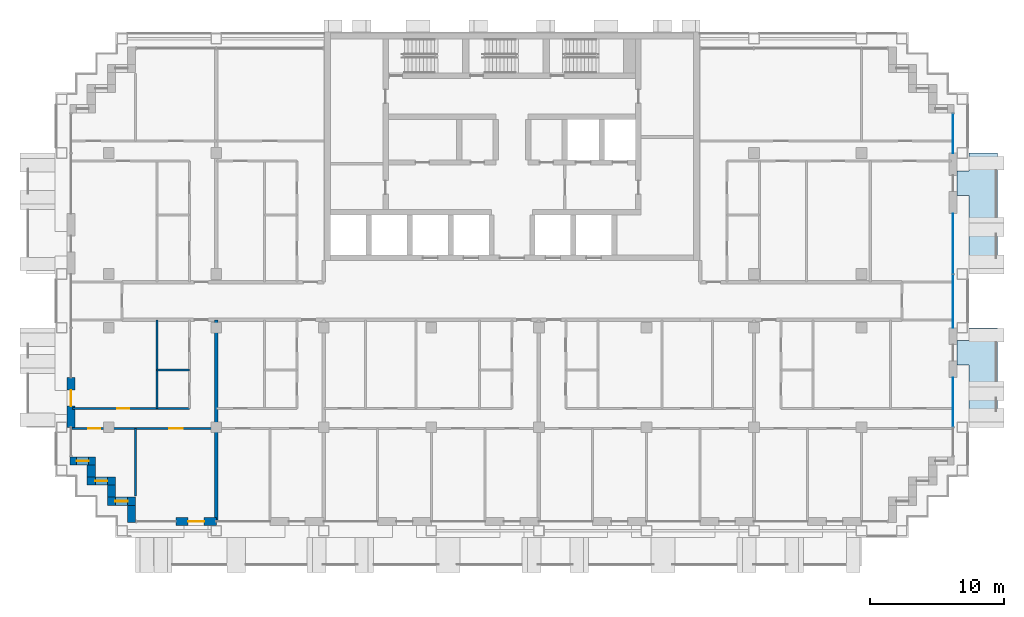
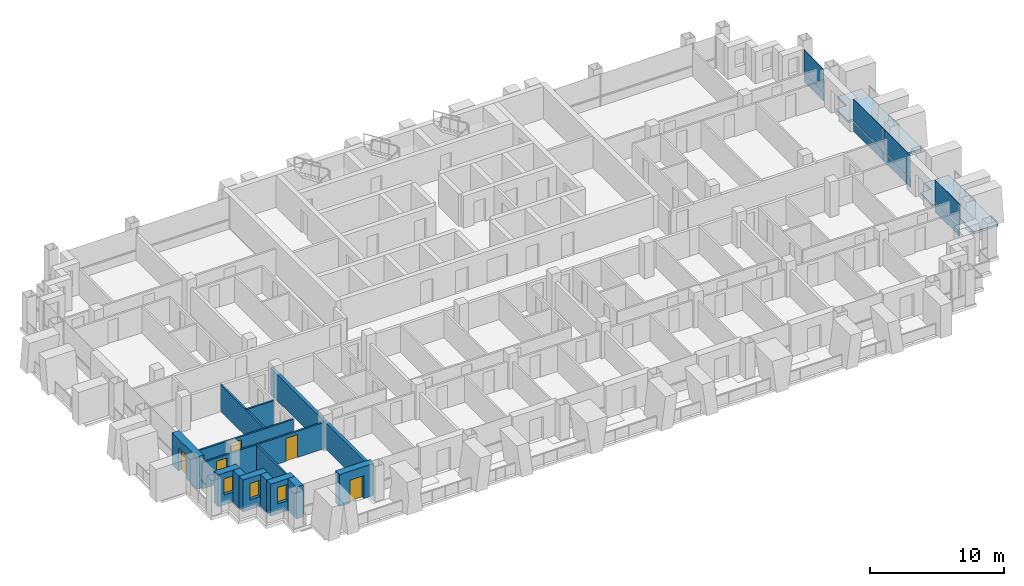
# One storey, part 7 of 17: 14 walls, 8 plates, 5 doors, 3 windows, 2 slabs, 8 openings, 3 elements without a shape of their own.
"""IFC4 building model written with IfcOpenShell, lengths in metres."""

from ifc_helpers import new_model, si_unit, direction, frame, frame_2d, origin, origin_2d, place, context, subcontext, project, spatial, polyline, rectangle, outline, extrude, material, layer, layer_set, type_object, element, fill, aggregate, save


model = new_model("IFC4")

# Units and contexts
model_context = context("Model", 3, precision=1e-05, world=origin(), true_north=direction((0.0, 1.0)))
body_context = subcontext(model_context, "Body", "Model", "MODEL_VIEW")
ifc_project = project(units=[si_unit("LENGTHUNIT", "METRE"), si_unit("AREAUNIT", "SQUARE_METRE"), si_unit("VOLUMEUNIT", "CUBIC_METRE"), si_unit("PLANEANGLEUNIT", "RADIAN"), si_unit("MASSUNIT", "GRAM", prefix="KILO")], contexts=[model_context])

# Site, building, storey
site_placement = place(None, origin())
site = spatial("IfcSite", under=ifc_project, at=site_placement, CompositionType="ELEMENT")
building_placement = place(site_placement, origin())
building = spatial("IfcBuilding", under=site, at=building_placement, Name="Vidyagriha Tower", CompositionType="ELEMENT")
storey_placement = place(building_placement, frame((0.0, 0.0, 119.800048828125)))
storey = spatial("IfcBuildingStorey", under=building, at=storey_placement, Name="L30", CompositionType="ELEMENT", Elevation=119.800048828125)

# Curtain wall, plate
ifc_material_1 = material(Name="Aluminium and glass curtain wall", Category="aluminium")
curtain_wall_type = type_object("IfcCurtainWallType", Name="Dwelling skin unitised curtain wall", PredefinedType="USERDEFINED", material=ifc_material_1)
curtain_wall_1_placement = place(storey_placement, origin())
curtain_wall_1 = element("IfcCurtainWall", 1, at=curtain_wall_1_placement, inside=storey, type_object=curtain_wall_type, Name="CW1 dwelling skin", ObjectType="UNITISED", PredefinedType="USERDEFINED")
ifc_material_2 = material(Name="Glass dark ceramic-fritted spandrel", Category="glass")
ifc_layer_1 = layer(ifc_material_2, 0.0400390625)
ifc_layer_set_1 = layer_set([ifc_layer_1], Name="Glass dark ceramic-fritted spandrel")
plate_type_1 = type_object("IfcPlateType", Name="Ceramic-fritted spandrel panel", PredefinedType="CURTAIN_PANEL", material=ifc_layer_set_1)
plate_1_placement = place(storey_placement, frame((32.800048828125, -7.532470703125, 0.0), z_axis=(0.0, 0.0, 1.0), x_axis=(0.0, 1.0, 0.0)))
plate_1 = element("IfcPlate", 2, at=plate_1_placement, type_object=plate_type_1, Name="CW1 panel 2.1", PredefinedType="CURTAIN_PANEL", context=body_context, shape_type="SweptSolid", body=[
    extrude(rectangle(XDim=3.6650390625, YDim=0.0400390625, at=origin_2d()), origin(), (0.0, 0.0, 1.0), 0.85009765625),
])

curtain_wall_2_placement = place(storey_placement, origin())
curtain_wall_2 = element("IfcCurtainWall", 3, at=curtain_wall_2_placement, inside=storey, type_object=curtain_wall_type, Name="CW1 dwelling skin", ObjectType="UNITISED", PredefinedType="USERDEFINED")
plate_2_placement = place(storey_placement, frame((32.800048828125, 12.465087890625, 0.0), z_axis=(0.0, 0.0, 1.0), x_axis=(0.0, 1.0, 0.0)))
plate_2 = element("IfcPlate", 4, at=plate_2_placement, type_object=plate_type_1, Name="CW1 panel 1.1", PredefinedType="CURTAIN_PANEL", context=body_context, shape_type="SweptSolid", body=[
    extrude(rectangle(XDim=2.929931640625, YDim=0.0400390625, at=origin_2d()), origin(), (0.0, 0.0, 1.0), 0.85009765625),
])

# Plate
ifc_material_3 = material(Name="Glass dark ceramic-fritted", Category="glass")
ifc_layer_2 = layer(ifc_material_3, 0.028076171875)
ifc_layer_set_2 = layer_set([ifc_layer_2], Name="Glass dark ceramic-fritted")
plate_type_2 = type_object("IfcPlateType", Name="Dark ceramic-fritted vision glass panel", PredefinedType="CURTAIN_PANEL", material=ifc_layer_set_2)
plate_3_placement = place(storey_placement, frame((32.800048828125, -7.532470703125, 0.9501953125), z_axis=(0.0, 0.0, 1.0), x_axis=(0.0, 1.0, 0.0)))
plate_3 = element("IfcPlate", 5, at=plate_3_placement, type_object=plate_type_2, Name="CW1 panel 2.2", PredefinedType="CURTAIN_PANEL", context=body_context, shape_type="SweptSolid", body=[
    extrude(rectangle(XDim=3.6650390625, YDim=0.028076171875, at=origin_2d()), origin(), (0.0, 0.0, 1.0), 1.969970703125),
])

aggregate(curtain_wall_1, [plate_1, plate_3])

# Curtain wall, plates
curtain_wall_3_placement = place(storey_placement, origin())
curtain_wall_3 = element("IfcCurtainWall", 6, at=curtain_wall_3_placement, inside=storey, type_object=curtain_wall_type, Name="CW1 dwelling skin", ObjectType="UNITISED", PredefinedType="USERDEFINED")
plate_4_placement = place(storey_placement, frame((32.800048828125, -0.017578125, 0.9501953125), z_axis=(0.0, 0.0, 1.0), x_axis=(0.0, 1.0, 0.0)))
plate_4 = element("IfcPlate", 7, at=plate_4_placement, type_object=plate_type_2, Name="CW1 panel 1.2", PredefinedType="CURTAIN_PANEL", context=body_context, shape_type="SweptSolid", body=[
    extrude(rectangle(XDim=3.965087890625, YDim=0.028076171875, at=origin_2d()), origin(), (0.0, 0.0, 1.0), 1.969970703125),
])
plate_5_placement = place(storey_placement, frame((32.800048828125, 4.267578125, 0.9501953125), z_axis=(0.0, 0.0, 1.0), x_axis=(0.0, 1.0, 0.0)))
plate_5 = element("IfcPlate", 8, at=plate_5_placement, type_object=plate_type_2, Name="CW1 panel 2.2", PredefinedType="CURTAIN_PANEL", context=body_context, shape_type="SweptSolid", body=[
    extrude(rectangle(XDim=4.465087890625, YDim=0.028076171875, at=origin_2d()), origin(), (0.0, 0.0, 1.0), 1.969970703125),
])

# Plate
plate_6_placement = place(storey_placement, frame((32.800048828125, 12.465087890625, 0.9501953125), z_axis=(0.0, 0.0, 1.0), x_axis=(0.0, 1.0, 0.0)))
plate_6 = element("IfcPlate", 9, at=plate_6_placement, type_object=plate_type_2, Name="CW1 panel 1.2", PredefinedType="CURTAIN_PANEL", context=body_context, shape_type="SweptSolid", body=[
    extrude(rectangle(XDim=2.929931640625, YDim=0.028076171875, at=origin_2d()), origin(), (0.0, 0.0, 1.0), 1.969970703125),
])

aggregate(curtain_wall_2, [plate_2, plate_6])

ifc_material_4 = material(Name="Aluminium black anodised", Category="aluminium")
ifc_layer_3 = layer(ifc_material_4, 0.06005859375)
ifc_layer_set_3 = layer_set([ifc_layer_3], Name="Aluminium black anodised")
plate_type_3 = type_object("IfcPlateType", Name="Operable black-metal vent panel", PredefinedType="CURTAIN_PANEL", material=ifc_layer_set_3)
plate_7_placement = place(storey_placement, frame((32.800048828125, -0.017578125, 0.0), z_axis=(0.0, 0.0, 1.0), x_axis=(0.0, 1.0, 0.0)))
plate_7 = element("IfcPlate", 10, at=plate_7_placement, type_object=plate_type_3, Name="CW1 panel 1.1", PredefinedType="CURTAIN_PANEL", context=body_context, shape_type="SweptSolid", body=[
    extrude(rectangle(XDim=3.965087890625, YDim=0.06005859375, at=origin_2d()), origin(), (0.0, 0.0, 1.0), 0.85009765625),
])

plate_8_placement = place(storey_placement, frame((32.800048828125, 4.267578125, 0.0), z_axis=(0.0, 0.0, 1.0), x_axis=(0.0, 1.0, 0.0)))
plate_8 = element("IfcPlate", 11, at=plate_8_placement, type_object=plate_type_3, Name="CW1 panel 2.1", PredefinedType="CURTAIN_PANEL", context=body_context, shape_type="SweptSolid", body=[
    extrude(rectangle(XDim=4.465087890625, YDim=0.06005859375, at=origin_2d()), origin(), (0.0, 0.0, 1.0), 0.85009765625),
])

aggregate(curtain_wall_3, [plate_7, plate_4, plate_8, plate_5])

# Slabs
ifc_material_5 = material(Name="Precast concrete C40/50", Category="concrete")
ifc_layer_4 = layer(ifc_material_5, 0.199951171875)
ifc_layer_set_4 = layer_set([ifc_layer_4], Name="Precast concrete C40/50")
slab_type = type_object("IfcSlabType", Name="Precast balcony slab 200", PredefinedType="USERDEFINED", material=ifc_layer_set_4)
slab_1_placement = place(storey_placement, frame((0.0, 0.0, -0.199951171875)))
element("IfcSlab", 12, at=slab_1_placement, inside=storey, type_object=slab_type, Name="Balcony slab L30 R30.1-1", ObjectType="BALCONY", PredefinedType="USERDEFINED", context=body_context, shape_type="SweptSolid", body=[
    extrude(outline(polyline([(34.0, -4.75), (34.0, -9.39990234375), (36.10009765625, -9.39990234375), (36.10009765625, -2.0), (34.0, -2.0), (34.0, -2.949951171875), (33.10009765625, -2.949951171875), (33.10009765625, -4.75), (34.0, -4.75)])), origin(), (0.0, 0.0, 1.0), 0.199951171875),
])
slab_2_placement = place(storey_placement, frame((0.0, 0.0, -0.199951171875)))
element("IfcSlab", 13, at=slab_2_placement, inside=storey, type_object=slab_type, Name="Balcony slab L30 R30.2-2", ObjectType="BALCONY", PredefinedType="USERDEFINED", context=body_context, shape_type="SweptSolid", body=[
    extrude(outline(polyline([(34.0, 7.85009765625), (34.0, 2.0), (36.10009765625, 2.0), (36.10009765625, 11.0), (34.0, 11.0), (34.0, 9.64990234375), (33.10009765625, 9.64990234375), (33.10009765625, 7.85009765625), (34.0, 7.85009765625)])), origin(), (0.0, 0.0, 1.0), 0.199951171875),
])

# Wall, opening, door
ifc_material_6 = material(Name="Precast concrete C40/50 with brick facing", Category="concrete")
ifc_layer_5 = layer(ifc_material_6, 0.60009765625)
ifc_layer_set_5 = layer_set([ifc_layer_5], Name="Precast concrete C40/50 with brick facing")
wall_type_1 = type_object("IfcWallType", Name="Brick-faced precast wall 600", PredefinedType="STANDARD", material=ifc_layer_set_5)
wall_1_placement = place(storey_placement, frame((-32.800048828125, -5.699951171875, 0.0), z_axis=(0.0, 0.0, 1.0), x_axis=(0.0, -1.0, 0.0)))
wall_1 = element("IfcWall", 14, at=wall_1_placement, inside=storey, type_object=wall_type_1, Name="Brick door bay wall L30 R16.6", PredefinedType="STANDARD", context=body_context, shape_type="SweptSolid", body=[
    extrude(rectangle(XDim=3.699951171875, YDim=0.60009765625, at=frame_2d((1.85009765625, 0.0))), origin(), (0.0, 0.0, 1.0), 2.919921875),
])
opening_1_placement = place(wall_1_placement, frame((0.925048828125, 0.0, 0.0)))
opening_1 = element("IfcOpeningElement", 15, at=opening_1_placement, cuts=wall_1, Name="Opening D30-75", PredefinedType="OPENING", context=body_context, shape_type="SweptSolid", body=[
    extrude(rectangle(XDim=1.199951171875, YDim=2.10009765625, at=frame_2d((0.60009765625, 1.050048828125))), frame((0.0, 0.31005859375, 0.0), z_axis=(0.0, -1.0, 0.0), x_axis=(1.0, 0.0, 0.0)), (0.0, 0.0, 1.0), 0.6201171875),
])
ifc_material_7 = material(Name="Aluminium framed glazed sliding door", Category="aluminium")
door_type_1 = type_object("IfcDoorType", Name="Balcony sliding door 1200x2100", OperationType="NOTDEFINED", PredefinedType="DOOR", material=ifc_material_7)
door_1_placement = place(opening_1_placement, origin())
door_1 = element("IfcDoor", 16, at=door_1_placement, inside=storey, type_object=door_type_1, Name="Door D30-75", OperationType="SLIDING_TO_LEFT", OverallHeight=2.10009765625, OverallWidth=1.199951171875, PredefinedType="DOOR", context=body_context, shape_type="SweptSolid", body=[
    extrude(rectangle(XDim=1.199951171875, YDim=2.10009765625, at=frame_2d((0.60009765625, 1.050048828125))), frame((0.0, 0.02490234375, 0.0), z_axis=(0.0, -1.0, 0.0), x_axis=(1.0, 0.0, 0.0)), (0.0, 0.0, 1.0), 0.050048828125),
])
fill(opening_1, door_1)

# Wall, opening, window
wall_2_placement = place(storey_placement, frame((-32.8798828125, -11.89990234375, 0.0)))
wall_2 = element("IfcWall", 17, at=wall_2_placement, inside=storey, type_object=wall_type_1, Name="Stepped corner wall L30 R17", PredefinedType="STANDARD", context=body_context, shape_type="SweptSolid", body=[
    extrude(rectangle(XDim=1.8798828125, YDim=0.60009765625, at=frame_2d((0.93994140625, 0.0))), origin(), (0.0, 0.0, 1.0), 2.919921875),
])
opening_2_placement = place(wall_2_placement, frame((0.489990234375, 0.0, 0.89990234375)))
opening_2 = element("IfcOpeningElement", 18, at=opening_2_placement, cuts=wall_2, Name="Opening WN1", PredefinedType="OPENING", context=body_context, shape_type="SweptSolid", body=[
    extrude(rectangle(XDim=0.89990234375, YDim=1.5, at=frame_2d((0.449951171875, 0.75))), frame((0.0, 0.31005859375, 0.0), z_axis=(0.0, -1.0, 0.0), x_axis=(1.0, 0.0, 0.0)), (0.0, 0.0, 1.0), 0.6201171875),
])
ifc_material_8 = material(Name="Aluminium and glass window", Category="aluminium")
window_type = type_object("IfcWindowType", Name="Reveal window 900x1500", PartitioningType="NOTDEFINED", PredefinedType="WINDOW", material=ifc_material_8)
window_1_placement = place(opening_2_placement, origin())
window_1 = element("IfcWindow", 19, at=window_1_placement, inside=storey, type_object=window_type, Name="Reveal window L30 R17", OverallHeight=1.5, OverallWidth=0.89990234375, PartitioningType="SINGLE_PANEL", PredefinedType="WINDOW", context=body_context, shape_type="SweptSolid", body=[
    extrude(rectangle(XDim=0.89990234375, YDim=1.5, at=frame_2d((0.449951171875, 0.75))), frame((0.0, 0.030029296875, 0.0), z_axis=(0.0, -1.0, 0.0), x_axis=(1.0, 0.0, 0.0)), (0.0, 0.0, 1.0), 0.06005859375),
])
fill(opening_2, window_1)

# Wall
wall_3_placement = place(storey_placement, frame((-31.300048828125, -12.199951171875, 0.0), z_axis=(0.0, 0.0, 1.0), x_axis=(0.0, -1.0, 0.0)))
element("IfcWall", 20, at=wall_3_placement, inside=storey, type_object=wall_type_1, Name="Stepped corner wall L30 R18", PredefinedType="STANDARD", context=body_context, shape_type="SweptSolid", body=[
    extrude(rectangle(XDim=0.900146484375, YDim=0.60009765625, at=frame_2d((0.4501953125, 0.0))), origin(), (0.0, 0.0, 1.0), 2.919921875),
])

# Wall, opening, window
wall_4_placement = place(storey_placement, frame((-31.60009765625, -13.39990234375, 0.0)))
wall_4 = element("IfcWall", 21, at=wall_4_placement, inside=storey, type_object=wall_type_1, Name="Stepped corner wall L30 R19", PredefinedType="STANDARD", context=body_context, shape_type="SweptSolid", body=[
    extrude(rectangle(XDim=2.10009765625, YDim=0.60009765625, at=frame_2d((1.050048828125, 0.0))), origin(), (0.0, 0.0, 1.0), 2.919921875),
])
opening_3_placement = place(wall_4_placement, frame((0.60009765625, 0.0, 0.89990234375)))
opening_3 = element("IfcOpeningElement", 22, at=opening_3_placement, cuts=wall_4, Name="Opening WN1", PredefinedType="OPENING", context=body_context, shape_type="SweptSolid", body=[
    extrude(rectangle(XDim=0.89990234375, YDim=1.5, at=frame_2d((0.449951171875, 0.75))), frame((0.0, 0.31005859375, 0.0), z_axis=(0.0, -1.0, 0.0), x_axis=(1.0, 0.0, 0.0)), (0.0, 0.0, 1.0), 0.6201171875),
])
window_2_placement = place(opening_3_placement, origin())
window_2 = element("IfcWindow", 23, at=window_2_placement, inside=storey, type_object=window_type, Name="Reveal window L30 R19", OverallHeight=1.5, OverallWidth=0.89990234375, PartitioningType="SINGLE_PANEL", PredefinedType="WINDOW", context=body_context, shape_type="SweptSolid", body=[
    extrude(rectangle(XDim=0.89990234375, YDim=1.5, at=frame_2d((0.449951171875, 0.75))), frame((0.0, 0.030029296875, 0.0), z_axis=(0.0, -1.0, 0.0), x_axis=(1.0, 0.0, 0.0)), (0.0, 0.0, 1.0), 0.06005859375),
])
fill(opening_3, window_2)

# Wall
wall_5_placement = place(storey_placement, frame((-29.800048828125, -13.699951171875, 0.0), z_axis=(0.0, 0.0, 1.0), x_axis=(0.0, -1.0, 0.0)))
element("IfcWall", 24, at=wall_5_placement, inside=storey, type_object=wall_type_1, Name="Stepped corner wall L30 R20", PredefinedType="STANDARD", context=body_context, shape_type="SweptSolid", body=[
    extrude(rectangle(XDim=0.900146484375, YDim=0.60009765625, at=frame_2d((0.4501953125, 0.0))), origin(), (0.0, 0.0, 1.0), 2.919921875),
])

# Wall, opening, window
wall_6_placement = place(storey_placement, frame((-30.10009765625, -14.89990234375, 0.0)))
wall_6 = element("IfcWall", 25, at=wall_6_placement, inside=storey, type_object=wall_type_1, Name="Stepped corner wall L30 R21", PredefinedType="STANDARD", context=body_context, shape_type="SweptSolid", body=[
    extrude(rectangle(XDim=2.10009765625, YDim=0.60009765625, at=frame_2d((1.050048828125, 0.0))), origin(), (0.0, 0.0, 1.0), 2.919921875),
])
opening_4_placement = place(wall_6_placement, frame((0.60009765625, 0.0, 0.89990234375)))
opening_4 = element("IfcOpeningElement", 26, at=opening_4_placement, cuts=wall_6, Name="Opening WN1", PredefinedType="OPENING", context=body_context, shape_type="SweptSolid", body=[
    extrude(rectangle(XDim=0.89990234375, YDim=1.5, at=frame_2d((0.449951171875, 0.75))), frame((0.0, 0.31005859375, 0.0), z_axis=(0.0, -1.0, 0.0), x_axis=(1.0, 0.0, 0.0)), (0.0, 0.0, 1.0), 0.6201171875),
])
window_3_placement = place(opening_4_placement, origin())
window_3 = element("IfcWindow", 27, at=window_3_placement, inside=storey, type_object=window_type, Name="Reveal window L30 R21", OverallHeight=1.5, OverallWidth=0.89990234375, PartitioningType="SINGLE_PANEL", PredefinedType="WINDOW", context=body_context, shape_type="SweptSolid", body=[
    extrude(rectangle(XDim=0.89990234375, YDim=1.5, at=frame_2d((0.449951171875, 0.75))), frame((0.0, 0.030029296875, 0.0), z_axis=(0.0, -1.0, 0.0), x_axis=(1.0, 0.0, 0.0)), (0.0, 0.0, 1.0), 0.06005859375),
])
fill(opening_4, window_3)

# Wall
wall_7_placement = place(storey_placement, frame((-28.300048828125, -15.199951171875, 0.0), z_axis=(0.0, 0.0, 1.0), x_axis=(0.0, -1.0, 0.0)))
element("IfcWall", 28, at=wall_7_placement, inside=storey, type_object=wall_type_1, Name="Stepped corner wall L30 R22", PredefinedType="STANDARD", context=body_context, shape_type="SweptSolid", body=[
    extrude(rectangle(XDim=1.280029296875, YDim=0.60009765625, at=frame_2d((0.64013671875, 0.0))), origin(), (0.0, 0.0, 1.0), 2.919921875),
])

# Wall, opening, door
wall_8_placement = place(storey_placement, frame((-25.0, -16.39990234375, 0.0)))
wall_8 = element("IfcWall", 29, at=wall_8_placement, inside=storey, type_object=wall_type_1, Name="Brick door bay wall L30 R23.2", PredefinedType="STANDARD", context=body_context, shape_type="SweptSolid", body=[
    extrude(rectangle(XDim=3.0, YDim=0.60009765625, at=frame_2d((1.5, 0.0))), origin(), (0.0, 0.0, 1.0), 2.919921875),
])
opening_5_placement = place(wall_8_placement, frame((0.89990234375, 0.0, 0.0)))
opening_5 = element("IfcOpeningElement", 30, at=opening_5_placement, cuts=wall_8, Name="Opening D30-76", PredefinedType="OPENING", context=body_context, shape_type="SweptSolid", body=[
    extrude(rectangle(XDim=1.199951171875, YDim=2.10009765625, at=frame_2d((0.60009765625, 1.050048828125))), frame((0.0, 0.31005859375, 0.0), z_axis=(0.0, -1.0, 0.0), x_axis=(1.0, 0.0, 0.0)), (0.0, 0.0, 1.0), 0.6201171875),
])
door_2_placement = place(opening_5_placement, origin())
door_2 = element("IfcDoor", 31, at=door_2_placement, inside=storey, type_object=door_type_1, Name="Door D30-76", OperationType="SLIDING_TO_LEFT", OverallHeight=2.10009765625, OverallWidth=1.199951171875, PredefinedType="DOOR", context=body_context, shape_type="SweptSolid", body=[
    extrude(rectangle(XDim=1.199951171875, YDim=2.10009765625, at=frame_2d((0.60009765625, 1.050048828125))), frame((0.0, 0.02490234375, 0.0), z_axis=(0.0, -1.0, 0.0), x_axis=(1.0, 0.0, 0.0)), (0.0, 0.0, 1.0), 0.050048828125),
])
fill(opening_5, door_2)

# Walls
ifc_material_9 = material(Name="Fired clay brick masonry", Category="masonry")
ifc_layer_6 = layer(ifc_material_9, 0.25)
ifc_layer_set_6 = layer_set([ifc_layer_6], Name="Fired clay brick masonry")
wall_type_2 = type_object("IfcWallType", Name="Fired clay brick demising wall 250", PredefinedType="PARTITIONING", material=ifc_layer_set_6)
wall_9_placement = place(storey_placement, frame((-22.0, -1.39990234375, 0.0), z_axis=(0.0, 0.0, 1.0), x_axis=(0.0, -1.0, 0.0)))
element("IfcWall", 32, at=wall_9_placement, inside=storey, type_object=wall_type_2, Name="Wall all-L30-w025", PredefinedType="PARTITIONING", context=body_context, shape_type="SweptSolid", body=[
    extrude(rectangle(XDim=14.91015625, YDim=0.25, at=frame_2d((7.455078125, 0.0))), origin(), (0.0, 0.0, 1.0), 2.39990234375),
])
ifc_material_10 = material(Name="Gypsum board partition")
ifc_layer_7 = layer(ifc_material_10, 0.14990234375)
ifc_layer_set_7 = layer_set([ifc_layer_7], Name="Gypsum board partition")
wall_type_3 = type_object("IfcWallType", Name="Gypsum board partition 150", PredefinedType="PARTITIONING", material=ifc_layer_set_7)
wall_10_placement = place(storey_placement, frame((-24.0, -5.14990234375, 0.0), z_axis=(0.0, 0.0, 1.0), x_axis=(-1.0, 0.0, 0.0)))
element("IfcWall", 33, at=wall_10_placement, inside=storey, type_object=wall_type_3, Name="Wall all-L30-w004", PredefinedType="PARTITIONING", context=body_context, shape_type="SweptSolid", body=[
    extrude(rectangle(XDim=2.39990234375, YDim=0.14990234375, at=frame_2d((1.199951171875, 0.0))), origin(), (0.0, 0.0, 1.0), 2.39990234375),
])
wall_11_placement = place(storey_placement, frame((-26.39990234375, -8.0, 0.0), z_axis=(0.0, 0.0, 1.0), x_axis=(0.0, 1.0, 0.0)))
element("IfcWall", 34, at=wall_11_placement, inside=storey, type_object=wall_type_3, Name="Wall all-L30-w005", PredefinedType="PARTITIONING", context=body_context, shape_type="SweptSolid", body=[
    extrude(rectangle(XDim=6.60009765625, YDim=0.14990234375, at=frame_2d((3.300048828125, 0.0))), origin(), (0.0, 0.0, 1.0), 2.39990234375),
])

# Wall, opening, door
wall_12_placement = place(storey_placement, frame((-32.7099609375, -8.0, 0.0)))
wall_12 = element("IfcWall", 35, at=wall_12_placement, inside=storey, type_object=wall_type_3, Name="Wall all-L30-w006", PredefinedType="PARTITIONING", context=body_context, shape_type="SweptSolid", body=[
    extrude(rectangle(XDim=8.7099609375, YDim=0.14990234375, at=frame_2d((4.35498046875, 0.0))), origin(), (0.0, 0.0, 1.0), 2.39990234375),
])
opening_6_placement = place(wall_12_placement, frame((3.327880859375, 0.0, 0.0)))
opening_6 = element("IfcOpeningElement", 36, at=opening_6_placement, cuts=wall_12, Name="Opening D30-15", PredefinedType="OPENING", context=body_context, shape_type="SweptSolid", body=[
    extrude(rectangle(XDim=0.89990234375, YDim=2.10009765625, at=frame_2d((0.449951171875, 1.050048828125))), frame((0.0, 0.0849609375, 0.0), z_axis=(0.0, -1.0, 0.0), x_axis=(1.0, 0.0, 0.0)), (0.0, 0.0, 1.0), 0.169921875),
])
ifc_material_11 = material(Name="Timber door leaf", Category="wood")
door_type_2 = type_object("IfcDoorType", Name="Room door 900x2100", OperationType="NOTDEFINED", PredefinedType="DOOR", material=ifc_material_11)
door_3_placement = place(opening_6_placement, origin())
door_3 = element("IfcDoor", 37, at=door_3_placement, inside=storey, type_object=door_type_2, Name="Door D30-15", OperationType="SINGLE_SWING_RIGHT", OverallHeight=2.10009765625, OverallWidth=0.89990234375, PredefinedType="DOOR", context=body_context, shape_type="SweptSolid", body=[
    extrude(rectangle(XDim=0.89990234375, YDim=2.10009765625, at=frame_2d((0.449951171875, 1.050048828125))), frame((0.0, 0.02490234375, 0.0), z_axis=(0.0, -1.0, 0.0), x_axis=(1.0, 0.0, 0.0)), (0.0, 0.0, 1.0), 0.050048828125),
])
fill(opening_6, door_3)

# Wall, openings, doors
wall_13_placement = place(storey_placement, frame((-22.0, -9.5, 0.0), z_axis=(0.0, 0.0, 1.0), x_axis=(-1.0, 0.0, 0.0)))
wall_13 = element("IfcWall", 38, at=wall_13_placement, inside=storey, type_object=wall_type_3, Name="Wall all-L30-w008", PredefinedType="PARTITIONING", context=body_context, shape_type="SweptSolid", body=[
    extrude(rectangle(XDim=10.719970703125, YDim=0.14990234375, at=frame_2d((5.35986328125, 0.0))), origin(), (0.0, 0.0, 1.0), 2.39990234375),
])
opening_7_placement = place(wall_13_placement, frame((8.617919921875, 0.0, 0.0)))
opening_7 = element("IfcOpeningElement", 39, at=opening_7_placement, cuts=wall_13, Name="Opening D30-16", PredefinedType="OPENING", context=body_context, shape_type="SweptSolid", body=[
    extrude(rectangle(XDim=0.89990234375, YDim=2.10009765625, at=frame_2d((0.449951171875, 1.050048828125))), frame((0.0, 0.0849609375, 0.0), z_axis=(0.0, -1.0, 0.0), x_axis=(1.0, 0.0, 0.0)), (0.0, 0.0, 1.0), 0.169921875),
])
opening_8_placement = place(wall_13_placement, frame((2.5, 0.0, 0.0)))
opening_8 = element("IfcOpeningElement", 40, at=opening_8_placement, cuts=wall_13, Name="Opening D30-17", PredefinedType="OPENING", context=body_context, shape_type="SweptSolid", body=[
    extrude(rectangle(XDim=1.0, YDim=2.10009765625, at=frame_2d((0.5, 1.050048828125))), frame((0.0, 0.0849609375, 0.0), z_axis=(0.0, -1.0, 0.0), x_axis=(1.0, 0.0, 0.0)), (0.0, 0.0, 1.0), 0.169921875),
])
ifc_material_12 = material(Name="Timber door leaf", Category="wood")
door_type_3 = type_object("IfcDoorType", Name="Room door 1000x2100", OperationType="NOTDEFINED", PredefinedType="DOOR", material=ifc_material_12)
door_4_placement = place(opening_8_placement, origin())
door_4 = element("IfcDoor", 41, at=door_4_placement, inside=storey, type_object=door_type_3, Name="Door D30-17", OperationType="SINGLE_SWING_RIGHT", OverallHeight=2.10009765625, OverallWidth=1.0, PredefinedType="DOOR", context=body_context, shape_type="SweptSolid", body=[
    extrude(rectangle(XDim=1.0, YDim=2.10009765625, at=frame_2d((0.5, 1.050048828125))), frame((0.0, 0.02490234375, 0.0), z_axis=(0.0, -1.0, 0.0), x_axis=(1.0, 0.0, 0.0)), (0.0, 0.0, 1.0), 0.050048828125),
])
fill(opening_8, door_4)
door_5_placement = place(opening_7_placement, origin())
door_5 = element("IfcDoor", 42, at=door_5_placement, inside=storey, type_object=door_type_2, Name="Door D30-16", OperationType="SINGLE_SWING_RIGHT", OverallHeight=2.10009765625, OverallWidth=0.89990234375, PredefinedType="DOOR", context=body_context, shape_type="SweptSolid", body=[
    extrude(rectangle(XDim=0.89990234375, YDim=2.10009765625, at=frame_2d((0.449951171875, 1.050048828125))), frame((0.0, 0.02490234375, 0.0), z_axis=(0.0, -1.0, 0.0), x_axis=(1.0, 0.0, 0.0)), (0.0, 0.0, 1.0), 0.050048828125),
])
fill(opening_7, door_5)

# Wall
wall_14_placement = place(storey_placement, frame((-28.0, -9.5, 0.0), z_axis=(0.0, 0.0, 1.0), x_axis=(0.0, -1.0, 0.0)))
element("IfcWall", 43, at=wall_14_placement, inside=storey, type_object=wall_type_3, Name="Wall all-L30-w011", PredefinedType="PARTITIONING", context=body_context, shape_type="SweptSolid", body=[
    extrude(rectangle(XDim=5.02001953125, YDim=0.14990234375, at=frame_2d((2.510009765625, 0.0))), origin(), (0.0, 0.0, 1.0), 2.39990234375),
])

save(model, "model.ifc")
